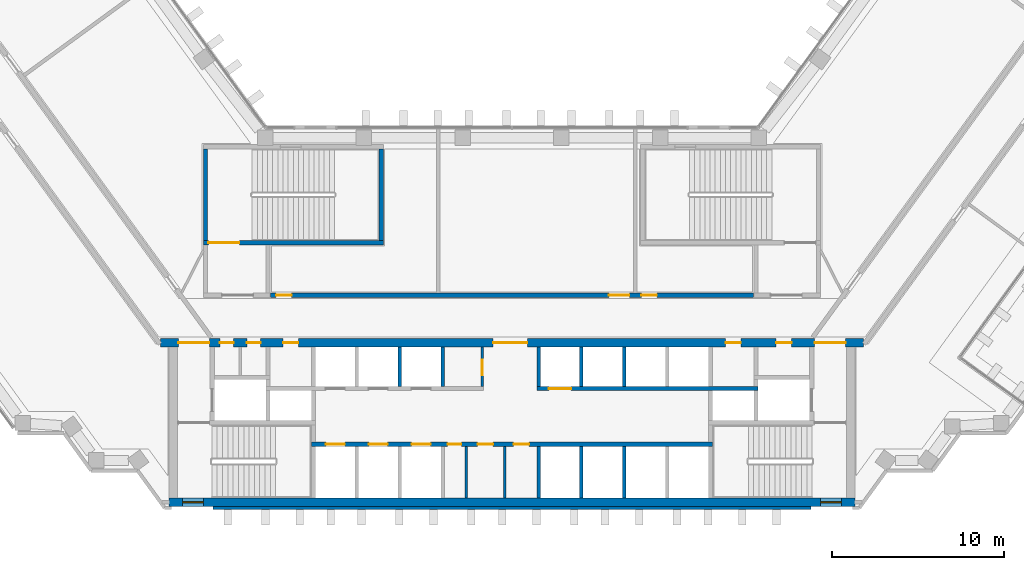
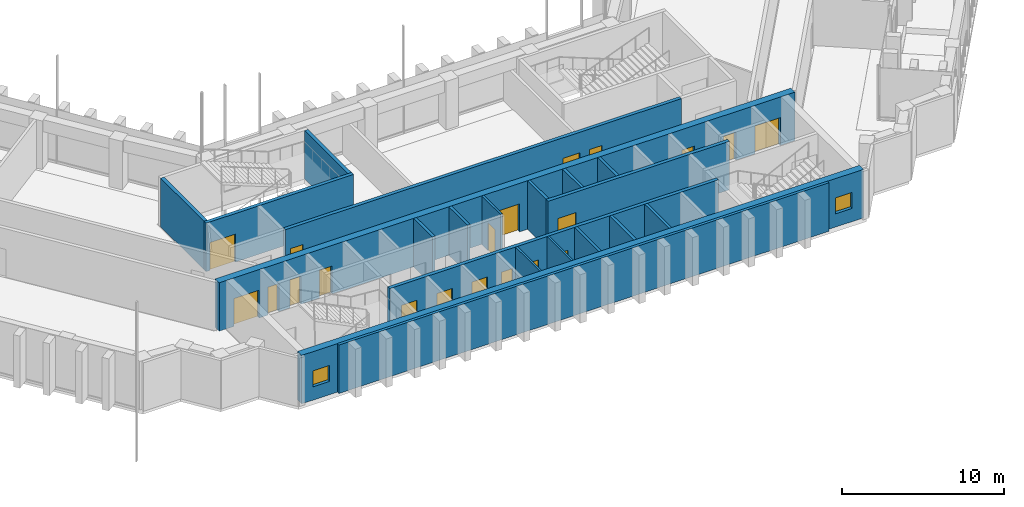
# One storey, part 10 of 17: 20 doors, 20 walls, 2 windows, 22 openings.
"""IFC4 building model written with IfcOpenShell, lengths in metres."""

from ifc_helpers import new_model, si_unit, direction, frame, frame_2d, origin, place, context, subcontext, project, spatial, rectangle, extrude, material, layer, layer_set, type_object, element, fill, save


model = new_model("IFC4")

# Units and contexts
model_context = context("Model", 3, precision=1e-05, world=origin(), true_north=direction((0.0, 1.0)))
body_context = subcontext(model_context, "Body", "Model", "MODEL_VIEW")
ifc_project = project(units=[si_unit("LENGTHUNIT", "METRE"), si_unit("AREAUNIT", "SQUARE_METRE"), si_unit("VOLUMEUNIT", "CUBIC_METRE"), si_unit("PLANEANGLEUNIT", "RADIAN"), si_unit("MASSUNIT", "GRAM", prefix="KILO")], contexts=[model_context])

# Site, building, storey
site_placement = place(None, origin())
site = spatial("IfcSite", under=ifc_project, at=site_placement, CompositionType="ELEMENT")
building_placement = place(site_placement, origin())
building = spatial("IfcBuilding", under=site, at=building_placement, Name="Quipu Civic Tower", CompositionType="ELEMENT")
storey_placement = place(building_placement, frame((0.0, 0.0, 101.0)))
storey = spatial("IfcBuildingStorey", under=building, at=storey_placement, Name="L23", CompositionType="ELEMENT", Elevation=101.0)

# Wall, openings, doors
ifc_material_1 = material(Name="Concrete C70/85", Category="concrete")
ifc_layer_1 = layer(ifc_material_1, 0.25)
ifc_layer_set_1 = layer_set([ifc_layer_1], Name="Concrete C70/85")
wall_type_1 = type_object("IfcWallType", Name="Core wall 250", PredefinedType="SHEAR", material=ifc_layer_set_1)
wall_1_placement = place(storey_placement, frame((11.699951171875, -7.375, 0.0), z_axis=(0.0, 0.0, 1.0), x_axis=(-1.0, 0.0, 0.0)))
wall_1 = element("IfcWall", 1, at=wall_1_placement, inside=storey, type_object=wall_type_1, Name="Core wall", PredefinedType="SHEAR", context=body_context, shape_type="SweptSolid", body=[
    extrude(rectangle(XDim=23.39990234375, YDim=0.25, at=frame_2d((11.699951171875, 0.0))), origin(), (0.0, 0.0, 1.0), 3.64990234375),
])
opening_1_placement = place(wall_1_placement, frame((21.449951171875, 0.0, 0.0)))
opening_1 = element("IfcOpeningElement", 2, at=opening_1_placement, cuts=wall_1, Name="Opening LD-LL1", PredefinedType="OPENING", context=body_context, shape_type="SweptSolid", body=[
    extrude(rectangle(XDim=1.10009765625, YDim=2.10009765625, at=frame_2d((0.550048828125, 1.050048828125))), frame((0.0, 0.135009765625, 0.0), z_axis=(0.0, -1.0, 0.0), x_axis=(1.0, 0.0, 0.0)), (0.0, 0.0, 1.0), 0.27001953125),
])
opening_2_placement = place(wall_1_placement, frame((18.949951171875, 0.0, 0.0)))
opening_2 = element("IfcOpeningElement", 3, at=opening_2_placement, cuts=wall_1, Name="Opening LD-LL2", PredefinedType="OPENING", context=body_context, shape_type="SweptSolid", body=[
    extrude(rectangle(XDim=1.10009765625, YDim=2.10009765625, at=frame_2d((0.550048828125, 1.050048828125))), frame((0.0, 0.135009765625, 0.0), z_axis=(0.0, -1.0, 0.0), x_axis=(1.0, 0.0, 0.0)), (0.0, 0.0, 1.0), 0.27001953125),
])
opening_3_placement = place(wall_1_placement, frame((16.449951171875, 0.0, 0.0)))
opening_3 = element("IfcOpeningElement", 4, at=opening_3_placement, cuts=wall_1, Name="Opening LD-LL3", PredefinedType="OPENING", context=body_context, shape_type="SweptSolid", body=[
    extrude(rectangle(XDim=1.10009765625, YDim=2.10009765625, at=frame_2d((0.550048828125, 1.050048828125))), frame((0.0, 0.135009765625, 0.0), z_axis=(0.0, -1.0, 0.0), x_axis=(1.0, 0.0, 0.0)), (0.0, 0.0, 1.0), 0.27001953125),
])
opening_4_placement = place(wall_1_placement, frame((14.64990234375, 0.0, 0.0)))
opening_4 = element("IfcOpeningElement", 5, at=opening_4_placement, cuts=wall_1, Name="Opening CD-01", PredefinedType="OPENING", context=body_context, shape_type="SweptSolid", body=[
    extrude(rectangle(XDim=0.800048828125, YDim=2.10009765625, at=frame_2d((0.39990234375, 1.050048828125))), frame((0.0, 0.135009765625, 0.0), z_axis=(0.0, -1.0, 0.0), x_axis=(1.0, 0.0, 0.0)), (0.0, 0.0, 1.0), 0.27001953125),
])
opening_5_placement = place(wall_1_placement, frame((12.800048828125, 0.0, 0.0)))
opening_5 = element("IfcOpeningElement", 6, at=opening_5_placement, cuts=wall_1, Name="Opening CD-02", PredefinedType="OPENING", context=body_context, shape_type="SweptSolid", body=[
    extrude(rectangle(XDim=0.89990234375, YDim=2.10009765625, at=frame_2d((0.449951171875, 1.050048828125))), frame((0.0, 0.135009765625, 0.0), z_axis=(0.0, -1.0, 0.0), x_axis=(1.0, 0.0, 0.0)), (0.0, 0.0, 1.0), 0.27001953125),
])
opening_6_placement = place(wall_1_placement, frame((10.699951171875, 0.0, 0.0)))
opening_6 = element("IfcOpeningElement", 7, at=opening_6_placement, cuts=wall_1, Name="Opening CD-03", PredefinedType="OPENING", context=body_context, shape_type="SweptSolid", body=[
    extrude(rectangle(XDim=0.89990234375, YDim=2.10009765625, at=frame_2d((0.449951171875, 1.050048828125))), frame((0.0, 0.135009765625, 0.0), z_axis=(0.0, -1.0, 0.0), x_axis=(1.0, 0.0, 0.0)), (0.0, 0.0, 1.0), 0.27001953125),
])
ifc_material_2 = material(Name="Fire rated steel door", Category="steel")
door_type_1 = type_object("IfcDoorType", Name="Fire door FD60 800 x 2100", OperationType="NOTDEFINED", PredefinedType="DOOR", material=ifc_material_2)
door_1_placement = place(opening_4_placement, origin())
door_1 = element("IfcDoor", 8, at=door_1_placement, inside=storey, type_object=door_type_1, Name="Door", OperationType="SINGLE_SWING_RIGHT", OverallHeight=2.10009765625, OverallWidth=0.800048828125, PredefinedType="DOOR", context=body_context, shape_type="SweptSolid", body=[
    extrude(rectangle(XDim=0.800048828125, YDim=2.10009765625, at=frame_2d((0.39990234375, 1.050048828125))), frame((0.0, 0.02490234375, 0.0), z_axis=(0.0, -1.0, 0.0), x_axis=(1.0, 0.0, 0.0)), (0.0, 0.0, 1.0), 0.050048828125),
])
fill(opening_4, door_1)
ifc_material_3 = material(Name="Fire rated steel door", Category="steel")
door_type_2 = type_object("IfcDoorType", Name="Fire door FD60 900 x 2100", OperationType="NOTDEFINED", PredefinedType="DOOR", material=ifc_material_3)
door_2_placement = place(opening_5_placement, origin())
door_2 = element("IfcDoor", 9, at=door_2_placement, inside=storey, type_object=door_type_2, Name="WC door", OperationType="SINGLE_SWING_RIGHT", OverallHeight=2.10009765625, OverallWidth=0.89990234375, PredefinedType="DOOR", context=body_context, shape_type="SweptSolid", body=[
    extrude(rectangle(XDim=0.89990234375, YDim=2.10009765625, at=frame_2d((0.449951171875, 1.050048828125))), frame((0.0, 0.02490234375, 0.0), z_axis=(0.0, -1.0, 0.0), x_axis=(1.0, 0.0, 0.0)), (0.0, 0.0, 1.0), 0.050048828125),
])
fill(opening_5, door_2)
door_3_placement = place(opening_6_placement, origin())
door_3 = element("IfcDoor", 10, at=door_3_placement, inside=storey, type_object=door_type_2, Name="WC door", OperationType="SINGLE_SWING_LEFT", OverallHeight=2.10009765625, OverallWidth=0.89990234375, PredefinedType="DOOR", context=body_context, shape_type="SweptSolid", body=[
    extrude(rectangle(XDim=0.89990234375, YDim=2.10009765625, at=frame_2d((0.449951171875, 1.050048828125))), frame((0.0, 0.02490234375, 0.0), z_axis=(0.0, -1.0, 0.0), x_axis=(1.0, 0.0, 0.0)), (0.0, 0.0, 1.0), 0.050048828125),
])
fill(opening_6, door_3)
ifc_material_4 = material(Name="Stainless steel", Category="steel")
door_type_3 = type_object("IfcDoorType", Name="Lift landing door 1100 x 2100", OperationType="DOUBLE_DOOR_SLIDING", PredefinedType="DOOR", material=ifc_material_4)
door_4_placement = place(opening_1_placement, origin())
door_4 = element("IfcDoor", 11, at=door_4_placement, inside=storey, type_object=door_type_3, Name="Landing door LL1", OperationType="DOUBLE_DOOR_SLIDING", OverallHeight=2.10009765625, OverallWidth=1.10009765625, PredefinedType="DOOR", context=body_context, shape_type="SweptSolid", body=[
    extrude(rectangle(XDim=1.10009765625, YDim=2.10009765625, at=frame_2d((0.550048828125, 1.050048828125))), frame((0.0, 0.02490234375, 0.0), z_axis=(0.0, -1.0, 0.0), x_axis=(1.0, 0.0, 0.0)), (0.0, 0.0, 1.0), 0.050048828125),
])
fill(opening_1, door_4)
door_5_placement = place(opening_2_placement, origin())
door_5 = element("IfcDoor", 12, at=door_5_placement, inside=storey, type_object=door_type_3, Name="Landing door LL2", OperationType="DOUBLE_DOOR_SLIDING", OverallHeight=2.10009765625, OverallWidth=1.10009765625, PredefinedType="DOOR", context=body_context, shape_type="SweptSolid", body=[
    extrude(rectangle(XDim=1.10009765625, YDim=2.10009765625, at=frame_2d((0.550048828125, 1.050048828125))), frame((0.0, 0.02490234375, 0.0), z_axis=(0.0, -1.0, 0.0), x_axis=(1.0, 0.0, 0.0)), (0.0, 0.0, 1.0), 0.050048828125),
])
fill(opening_2, door_5)
door_6_placement = place(opening_3_placement, origin())
door_6 = element("IfcDoor", 13, at=door_6_placement, inside=storey, type_object=door_type_3, Name="Landing door LL3", OperationType="DOUBLE_DOOR_SLIDING", OverallHeight=2.10009765625, OverallWidth=1.10009765625, PredefinedType="DOOR", context=body_context, shape_type="SweptSolid", body=[
    extrude(rectangle(XDim=1.10009765625, YDim=2.10009765625, at=frame_2d((0.550048828125, 1.050048828125))), frame((0.0, 0.02490234375, 0.0), z_axis=(0.0, -1.0, 0.0), x_axis=(1.0, 0.0, 0.0)), (0.0, 0.0, 1.0), 0.050048828125),
])
fill(opening_3, door_6)

# Wall, opening, door
wall_2_placement = place(storey_placement, frame((1.449951171875, -4.125, 0.0), z_axis=(0.0, 0.0, 1.0), x_axis=(1.0, 0.0, 0.0)))
wall_2 = element("IfcWall", 14, at=wall_2_placement, inside=storey, type_object=wall_type_1, Name="Core wall", PredefinedType="SHEAR", context=body_context, shape_type="SweptSolid", body=[
    extrude(rectangle(XDim=12.900146484375, YDim=0.25, at=frame_2d((6.4501953125, 0.0))), origin(), (0.0, 0.0, 1.0), 3.64990234375),
])
opening_7_placement = place(wall_2_placement, frame((0.699951171875, 0.0, 0.0)))
opening_7 = element("IfcOpeningElement", 15, at=opening_7_placement, cuts=wall_2, Name="Opening LD-FF3", PredefinedType="OPENING", context=body_context, shape_type="SweptSolid", body=[
    extrude(rectangle(XDim=1.300048828125, YDim=2.10009765625, at=frame_2d((0.64990234375, 1.050048828125))), frame((0.0, 0.135009765625, 0.0), z_axis=(0.0, -1.0, 0.0), x_axis=(1.0, 0.0, 0.0)), (0.0, 0.0, 1.0), 0.27001953125),
])
ifc_material_5 = material(Name="Stainless steel", Category="steel")
door_type_4 = type_object("IfcDoorType", Name="Lift landing door 1300 x 2100", OperationType="DOUBLE_DOOR_SLIDING", PredefinedType="DOOR", material=ifc_material_5)
door_7_placement = place(opening_7_placement, origin())
door_7 = element("IfcDoor", 16, at=door_7_placement, inside=storey, type_object=door_type_4, Name="Landing door FF3", OperationType="DOUBLE_DOOR_SLIDING", OverallHeight=2.10009765625, OverallWidth=1.300048828125, PredefinedType="DOOR", context=body_context, shape_type="SweptSolid", body=[
    extrude(rectangle(XDim=1.300048828125, YDim=2.10009765625, at=frame_2d((0.64990234375, 1.050048828125))), frame((0.0, 0.02490234375, 0.0), z_axis=(0.0, -1.0, 0.0), x_axis=(1.0, 0.0, 0.0)), (0.0, 0.0, 1.0), 0.050048828125),
])
fill(opening_7, door_7)

wall_3_placement = place(storey_placement, frame((-18.0, 4.375, 0.0), z_axis=(0.0, 0.0, 1.0), x_axis=(1.0, 0.0, 0.0)))
wall_3 = element("IfcWall", 17, at=wall_3_placement, inside=storey, type_object=wall_type_1, Name="Core wall", PredefinedType="SHEAR", context=body_context, shape_type="SweptSolid", body=[
    extrude(rectangle(XDim=10.5, YDim=0.25, at=frame_2d((5.25, 0.0))), origin(), (0.0, 0.0, 1.0), 3.64990234375),
])
opening_8_placement = place(wall_3_placement, frame((0.300048828125, 0.0, 0.0)))
opening_8 = element("IfcOpeningElement", 18, at=opening_8_placement, cuts=wall_3, Name="Opening CD-16", PredefinedType="OPENING", context=body_context, shape_type="SweptSolid", body=[
    extrude(rectangle(XDim=1.800048828125, YDim=2.10009765625, at=frame_2d((0.89990234375, 1.050048828125))), frame((0.0, 0.135009765625, 0.0), z_axis=(0.0, -1.0, 0.0), x_axis=(1.0, 0.0, 0.0)), (0.0, 0.0, 1.0), 0.27001953125),
])
ifc_material_6 = material(Name="Fire rated steel door", Category="steel")
door_type_5 = type_object("IfcDoorType", Name="Fire door FD90 double 1800 x 2100", OperationType="NOTDEFINED", PredefinedType="DOOR", material=ifc_material_6)
door_8_placement = place(opening_8_placement, origin())
door_8 = element("IfcDoor", 19, at=door_8_placement, inside=storey, type_object=door_type_5, Name="Door", OperationType="DOUBLE_DOOR_SINGLE_SWING", OverallHeight=2.10009765625, OverallWidth=1.800048828125, PredefinedType="DOOR", context=body_context, shape_type="SweptSolid", body=[
    extrude(rectangle(XDim=1.800048828125, YDim=2.10009765625, at=frame_2d((0.89990234375, 1.050048828125))), frame((0.0, 0.02490234375, 0.0), z_axis=(0.0, -1.0, 0.0), x_axis=(1.0, 0.0, 0.0)), (0.0, 0.0, 1.0), 0.050048828125),
])
fill(opening_8, door_8)

# Walls
for number, where, z_axis, x_axis, name in (
    (20, (-17.875, 4.5, 0.0), (0.0, 0.0, 1.0), (0.0, 1.0, 0.0), "Core wall"),
    (21, (-7.625, 4.5, 0.0), (0.0, 0.0, 1.0), (0.0, 1.0, 0.0), "Core wall"),
):
    element("IfcWall", number, at=place(storey_placement, frame(where, z_axis=z_axis, x_axis=x_axis)), inside=storey, type_object=wall_type_1, Name=name, PredefinedType="SHEAR", context=body_context, shape_type="SweptSolid", body=[
        extrude(rectangle(XDim=5.35009765625, YDim=0.25, at=frame_2d((2.675048828125, 0.0))), origin(), (0.0, 0.0, 1.0), 3.64990234375),
    ])

# Wall, openings, windows
ifc_material_7 = material(Name="Concrete C70/85", Category="concrete")
ifc_layer_2 = layer(ifc_material_7, 0.5)
ifc_layer_set_2 = layer_set([ifc_layer_2], Name="Concrete C70/85")
wall_type_2 = type_object("IfcWallType", Name="Core wall 500", PredefinedType="SHEAR", material=ifc_layer_set_2)
wall_4_placement = place(storey_placement, frame((-20.0, -10.75, 0.0), z_axis=(0.0, 0.0, 1.0), x_axis=(1.0, 0.0, 0.0)))
wall_4 = element("IfcWall", 22, at=wall_4_placement, inside=storey, type_object=wall_type_2, Name="Core wall", PredefinedType="SHEAR", context=body_context, shape_type="SweptSolid", body=[
    extrude(rectangle(XDim=40.0, YDim=0.5, at=frame_2d((20.0, 0.0))), origin(), (0.0, 0.0, 1.0), 3.64990234375),
])
opening_9_placement = place(wall_4_placement, frame((0.800048828125, 0.0, 1.0)))
opening_9 = element("IfcOpeningElement", 23, at=opening_9_placement, cuts=wall_4, Name="Opening SV-1", PredefinedType="OPENING", context=body_context, shape_type="SweptSolid", body=[
    extrude(rectangle(XDim=1.199951171875, YDim=1.199951171875, at=frame_2d((0.60009765625, 0.60009765625))), frame((0.0, 0.260009765625, 0.0), z_axis=(0.0, -1.0, 0.0), x_axis=(1.0, 0.0, 0.0)), (0.0, 0.0, 1.0), 0.52001953125),
])
opening_10_placement = place(wall_4_placement, frame((38.0, 0.0, 1.0)))
opening_10 = element("IfcOpeningElement", 24, at=opening_10_placement, cuts=wall_4, Name="Opening SV-2", PredefinedType="OPENING", context=body_context, shape_type="SweptSolid", body=[
    extrude(rectangle(XDim=1.199951171875, YDim=1.199951171875, at=frame_2d((0.60009765625, 0.60009765625))), frame((0.0, 0.260009765625, 0.0), z_axis=(0.0, -1.0, 0.0), x_axis=(1.0, 0.0, 0.0)), (0.0, 0.0, 1.0), 0.52001953125),
])
ifc_material_8 = material(Name="Aluminium louvre", Category="aluminium")
window_type = type_object("IfcWindowType", Name="Stair ventilation louvre 1200 x 1200", PartitioningType="SINGLE_PANEL", PredefinedType="WINDOW", material=ifc_material_8)
window_1_placement = place(opening_9_placement, origin())
window_1 = element("IfcWindow", 25, at=window_1_placement, inside=storey, type_object=window_type, Name="Stair ventilation opening", OverallHeight=1.199951171875, OverallWidth=1.199951171875, PartitioningType="SINGLE_PANEL", PredefinedType="WINDOW", context=body_context, shape_type="SweptSolid", body=[
    extrude(rectangle(XDim=1.199951171875, YDim=1.199951171875, at=frame_2d((0.60009765625, 0.60009765625))), frame((0.0, 0.030029296875, 0.0), z_axis=(0.0, -1.0, 0.0), x_axis=(1.0, 0.0, 0.0)), (0.0, 0.0, 1.0), 0.06005859375),
])
fill(opening_9, window_1)
window_2_placement = place(opening_10_placement, origin())
window_2 = element("IfcWindow", 26, at=window_2_placement, inside=storey, type_object=window_type, Name="Stair ventilation opening", OverallHeight=1.199951171875, OverallWidth=1.199951171875, PartitioningType="SINGLE_PANEL", PredefinedType="WINDOW", context=body_context, shape_type="SweptSolid", body=[
    extrude(rectangle(XDim=1.199951171875, YDim=1.199951171875, at=frame_2d((0.60009765625, 0.60009765625))), frame((0.0, 0.030029296875, 0.0), z_axis=(0.0, -1.0, 0.0), x_axis=(1.0, 0.0, 0.0)), (0.0, 0.0, 1.0), 0.06005859375),
])
fill(opening_10, window_2)

# Wall, openings, doors
wall_5_placement = place(storey_placement, frame((20.489990234375, -1.449951171875, 0.0), z_axis=(0.0, 0.0, 1.0), x_axis=(-1.0, 0.0, 0.0)))
wall_5 = element("IfcWall", 27, at=wall_5_placement, inside=storey, type_object=wall_type_2, Name="Core wall", PredefinedType="SHEAR", context=body_context, shape_type="SweptSolid", body=[
    extrude(rectangle(XDim=40.97998046875, YDim=0.5, at=frame_2d((20.489990234375, 0.0))), origin(), (0.0, 0.0, 1.0), 3.64990234375),
])
opening_11_placement = place(wall_5_placement, frame((38.139892578125, 0.0, 0.0)))
opening_11 = element("IfcOpeningElement", 28, at=opening_11_placement, cuts=wall_5, Name="Opening CD-07", PredefinedType="OPENING", context=body_context, shape_type="SweptSolid", body=[
    extrude(rectangle(XDim=1.800048828125, YDim=2.10009765625, at=frame_2d((0.89990234375, 1.050048828125))), frame((0.0, 0.260009765625, 0.0), z_axis=(0.0, -1.0, 0.0), x_axis=(1.0, 0.0, 0.0)), (0.0, 0.0, 1.0), 0.52001953125),
])
opening_12_placement = place(wall_5_placement, frame((36.7275390625, 0.0, 0.0)))
opening_12 = element("IfcOpeningElement", 29, at=opening_12_placement, cuts=wall_5, Name="Opening CD-08", PredefinedType="OPENING", context=body_context, shape_type="SweptSolid", body=[
    extrude(rectangle(XDim=0.800048828125, YDim=2.10009765625, at=frame_2d((0.39990234375, 1.050048828125))), frame((0.0, 0.260009765625, 0.0), z_axis=(0.0, -1.0, 0.0), x_axis=(1.0, 0.0, 0.0)), (0.0, 0.0, 1.0), 0.52001953125),
])
opening_13_placement = place(wall_5_placement, frame((35.152587890625, 0.0, 0.0)))
opening_13 = element("IfcOpeningElement", 30, at=opening_13_placement, cuts=wall_5, Name="Opening CD-09", PredefinedType="OPENING", context=body_context, shape_type="SweptSolid", body=[
    extrude(rectangle(XDim=0.800048828125, YDim=2.10009765625, at=frame_2d((0.39990234375, 1.050048828125))), frame((0.0, 0.260009765625, 0.0), z_axis=(0.0, -1.0, 0.0), x_axis=(1.0, 0.0, 0.0)), (0.0, 0.0, 1.0), 0.52001953125),
])
opening_14_placement = place(wall_5_placement, frame((32.93994140625, 0.0, 0.0)))
opening_14 = element("IfcOpeningElement", 31, at=opening_14_placement, cuts=wall_5, Name="Opening CD-10", PredefinedType="OPENING", context=body_context, shape_type="SweptSolid", body=[
    extrude(rectangle(XDim=0.89990234375, YDim=2.10009765625, at=frame_2d((0.449951171875, 1.050048828125))), frame((0.0, 0.260009765625, 0.0), z_axis=(0.0, -1.0, 0.0), x_axis=(1.0, 0.0, 0.0)), (0.0, 0.0, 1.0), 0.52001953125),
])
opening_15_placement = place(wall_5_placement, frame((19.590087890625, 0.0, 0.0)))
opening_15 = element("IfcOpeningElement", 32, at=opening_15_placement, cuts=wall_5, Name="Opening CD-11", PredefinedType="OPENING", context=body_context, shape_type="SweptSolid", body=[
    extrude(rectangle(XDim=2.0, YDim=2.10009765625, at=frame_2d((1.0, 1.050048828125))), frame((0.0, 0.260009765625, 0.0), z_axis=(0.0, -1.0, 0.0), x_axis=(1.0, 0.0, 0.0)), (0.0, 0.0, 1.0), 0.52001953125),
])
opening_16_placement = place(wall_5_placement, frame((7.139892578125, 0.0, 0.0)))
opening_16 = element("IfcOpeningElement", 33, at=opening_16_placement, cuts=wall_5, Name="Opening CD-12", PredefinedType="OPENING", context=body_context, shape_type="SweptSolid", body=[
    extrude(rectangle(XDim=0.89990234375, YDim=2.10009765625, at=frame_2d((0.449951171875, 1.050048828125))), frame((0.0, 0.260009765625, 0.0), z_axis=(0.0, -1.0, 0.0), x_axis=(1.0, 0.0, 0.0)), (0.0, 0.0, 1.0), 0.52001953125),
])
opening_17_placement = place(wall_5_placement, frame((4.18994140625, 0.0, 0.0)))
opening_17 = element("IfcOpeningElement", 34, at=opening_17_placement, cuts=wall_5, Name="Opening CD-13", PredefinedType="OPENING", context=body_context, shape_type="SweptSolid", body=[
    extrude(rectangle(XDim=0.89990234375, YDim=2.10009765625, at=frame_2d((0.449951171875, 1.050048828125))), frame((0.0, 0.260009765625, 0.0), z_axis=(0.0, -1.0, 0.0), x_axis=(1.0, 0.0, 0.0)), (0.0, 0.0, 1.0), 0.52001953125),
])
opening_18_placement = place(wall_5_placement, frame((1.0400390625, 0.0, 0.0)))
opening_18 = element("IfcOpeningElement", 35, at=opening_18_placement, cuts=wall_5, Name="Opening CD-14", PredefinedType="OPENING", context=body_context, shape_type="SweptSolid", body=[
    extrude(rectangle(XDim=1.800048828125, YDim=2.10009765625, at=frame_2d((0.89990234375, 1.050048828125))), frame((0.0, 0.260009765625, 0.0), z_axis=(0.0, -1.0, 0.0), x_axis=(1.0, 0.0, 0.0)), (0.0, 0.0, 1.0), 0.52001953125),
])
door_9_placement = place(opening_12_placement, origin())
door_9 = element("IfcDoor", 36, at=door_9_placement, inside=storey, type_object=door_type_1, Name="Door", OperationType="SINGLE_SWING_RIGHT", OverallHeight=2.10009765625, OverallWidth=0.800048828125, PredefinedType="DOOR", context=body_context, shape_type="SweptSolid", body=[
    extrude(rectangle(XDim=0.800048828125, YDim=2.10009765625, at=frame_2d((0.39990234375, 1.050048828125))), frame((0.0, 0.02490234375, 0.0), z_axis=(0.0, -1.0, 0.0), x_axis=(1.0, 0.0, 0.0)), (0.0, 0.0, 1.0), 0.050048828125),
])
fill(opening_12, door_9)
door_10_placement = place(opening_13_placement, origin())
door_10 = element("IfcDoor", 37, at=door_10_placement, inside=storey, type_object=door_type_1, Name="Door", OperationType="SINGLE_SWING_RIGHT", OverallHeight=2.10009765625, OverallWidth=0.800048828125, PredefinedType="DOOR", context=body_context, shape_type="SweptSolid", body=[
    extrude(rectangle(XDim=0.800048828125, YDim=2.10009765625, at=frame_2d((0.39990234375, 1.050048828125))), frame((0.0, 0.02490234375, 0.0), z_axis=(0.0, -1.0, 0.0), x_axis=(1.0, 0.0, 0.0)), (0.0, 0.0, 1.0), 0.050048828125),
])
fill(opening_13, door_10)
door_11_placement = place(opening_14_placement, origin())
door_11 = element("IfcDoor", 38, at=door_11_placement, inside=storey, type_object=door_type_2, Name="Riser door", OperationType="SINGLE_SWING_RIGHT", OverallHeight=2.10009765625, OverallWidth=0.89990234375, PredefinedType="DOOR", context=body_context, shape_type="SweptSolid", body=[
    extrude(rectangle(XDim=0.89990234375, YDim=2.10009765625, at=frame_2d((0.449951171875, 1.050048828125))), frame((0.0, 0.02490234375, 0.0), z_axis=(0.0, -1.0, 0.0), x_axis=(1.0, 0.0, 0.0)), (0.0, 0.0, 1.0), 0.050048828125),
])
fill(opening_14, door_11)
door_12_placement = place(opening_16_placement, origin())
door_12 = element("IfcDoor", 39, at=door_12_placement, inside=storey, type_object=door_type_2, Name="Riser door", OperationType="SINGLE_SWING_LEFT", OverallHeight=2.10009765625, OverallWidth=0.89990234375, PredefinedType="DOOR", context=body_context, shape_type="SweptSolid", body=[
    extrude(rectangle(XDim=0.89990234375, YDim=2.10009765625, at=frame_2d((0.449951171875, 1.050048828125))), frame((0.0, 0.02490234375, 0.0), z_axis=(0.0, -1.0, 0.0), x_axis=(1.0, 0.0, 0.0)), (0.0, 0.0, 1.0), 0.050048828125),
])
fill(opening_16, door_12)
door_13_placement = place(opening_17_placement, origin())
door_13 = element("IfcDoor", 40, at=door_13_placement, inside=storey, type_object=door_type_2, Name="Door", OperationType="SINGLE_SWING_LEFT", OverallHeight=2.10009765625, OverallWidth=0.89990234375, PredefinedType="DOOR", context=body_context, shape_type="SweptSolid", body=[
    extrude(rectangle(XDim=0.89990234375, YDim=2.10009765625, at=frame_2d((0.449951171875, 1.050048828125))), frame((0.0, 0.02490234375, 0.0), z_axis=(0.0, -1.0, 0.0), x_axis=(1.0, 0.0, 0.0)), (0.0, 0.0, 1.0), 0.050048828125),
])
fill(opening_17, door_13)
door_14_placement = place(opening_11_placement, origin())
door_14 = element("IfcDoor", 41, at=door_14_placement, inside=storey, type_object=door_type_5, Name="Lobby door", OperationType="DOUBLE_DOOR_SINGLE_SWING", OverallHeight=2.10009765625, OverallWidth=1.800048828125, PredefinedType="DOOR", context=body_context, shape_type="SweptSolid", body=[
    extrude(rectangle(XDim=1.800048828125, YDim=2.10009765625, at=frame_2d((0.89990234375, 1.050048828125))), frame((0.0, 0.02490234375, 0.0), z_axis=(0.0, -1.0, 0.0), x_axis=(1.0, 0.0, 0.0)), (0.0, 0.0, 1.0), 0.050048828125),
])
fill(opening_11, door_14)
door_15_placement = place(opening_18_placement, origin())
door_15 = element("IfcDoor", 42, at=door_15_placement, inside=storey, type_object=door_type_5, Name="Lobby door", OperationType="DOUBLE_DOOR_SINGLE_SWING", OverallHeight=2.10009765625, OverallWidth=1.800048828125, PredefinedType="DOOR", context=body_context, shape_type="SweptSolid", body=[
    extrude(rectangle(XDim=1.800048828125, YDim=2.10009765625, at=frame_2d((0.89990234375, 1.050048828125))), frame((0.0, 0.02490234375, 0.0), z_axis=(0.0, -1.0, 0.0), x_axis=(1.0, 0.0, 0.0)), (0.0, 0.0, 1.0), 0.050048828125),
])
fill(opening_18, door_15)
ifc_material_9 = material(Name="Fire rated steel door", Category="steel")
door_type_6 = type_object("IfcDoorType", Name="Fire door FD90 double 2000 x 2100", OperationType="NOTDEFINED", PredefinedType="DOOR", material=ifc_material_9)
door_16_placement = place(opening_15_placement, origin())
door_16 = element("IfcDoor", 43, at=door_16_placement, inside=storey, type_object=door_type_6, Name="Lobby door", OperationType="DOUBLE_DOOR_SINGLE_SWING", OverallHeight=2.10009765625, OverallWidth=2.0, PredefinedType="DOOR", context=body_context, shape_type="SweptSolid", body=[
    extrude(rectangle(XDim=2.0, YDim=2.10009765625, at=frame_2d((1.0, 1.050048828125))), frame((0.0, 0.02490234375, 0.0), z_axis=(0.0, -1.0, 0.0), x_axis=(1.0, 0.0, 0.0)), (0.0, 0.0, 1.0), 0.050048828125),
])
fill(opening_15, door_16)

ifc_material_10 = material(Name="Concrete C50/60", Category="concrete")
ifc_layer_3 = layer(ifc_material_10, 0.25)
ifc_layer_set_3 = layer_set([ifc_layer_3], Name="Concrete C50/60")
wall_type_3 = type_object("IfcWallType", Name="Corridor wall 250 concrete", PredefinedType="SOLIDWALL", material=ifc_layer_set_3)
wall_6_placement = place(storey_placement, frame((-14.090087890625, 1.324951171875, 0.0), z_axis=(0.0, 0.0, 1.0), x_axis=(1.0, 0.0, 0.0)))
wall_6 = element("IfcWall", 44, at=wall_6_placement, inside=storey, type_object=wall_type_3, Name="Corridor wall C05", PredefinedType="SOLIDWALL", context=body_context, shape_type="SweptSolid", body=[
    extrude(rectangle(XDim=28.18017578125, YDim=0.25, at=frame_2d((14.090087890625, 0.0))), origin(), (0.0, 0.0, 1.0), 3.64990234375),
])
opening_19_placement = place(wall_6_placement, frame((19.738037109375, 0.0, 0.0)))
opening_19 = element("IfcOpeningElement", 45, at=opening_19_placement, cuts=wall_6, Name="Opening D007", PredefinedType="OPENING", context=body_context, shape_type="SweptSolid", body=[
    extrude(rectangle(XDim=1.199951171875, YDim=2.10009765625, at=frame_2d((0.60009765625, 1.050048828125))), frame((0.0, 0.135009765625, 0.0), z_axis=(0.0, -1.0, 0.0), x_axis=(1.0, 0.0, 0.0)), (0.0, 0.0, 1.0), 0.27001953125),
])
opening_20_placement = place(wall_6_placement, frame((0.340087890625, 0.0, 0.0)))
opening_20 = element("IfcOpeningElement", 46, at=opening_20_placement, cuts=wall_6, Name="Opening D006", PredefinedType="OPENING", context=body_context, shape_type="SweptSolid", body=[
    extrude(rectangle(XDim=0.89990234375, YDim=2.10009765625, at=frame_2d((0.449951171875, 1.050048828125))), frame((0.0, 0.135009765625, 0.0), z_axis=(0.0, -1.0, 0.0), x_axis=(1.0, 0.0, 0.0)), (0.0, 0.0, 1.0), 0.27001953125),
])
opening_21_placement = place(wall_6_placement, frame((21.637939453125, 0.0, 0.0)))
opening_21 = element("IfcOpeningElement", 47, at=opening_21_placement, cuts=wall_6, Name="Opening D008", PredefinedType="OPENING", context=body_context, shape_type="SweptSolid", body=[
    extrude(rectangle(XDim=0.89990234375, YDim=2.10009765625, at=frame_2d((0.449951171875, 1.050048828125))), frame((0.0, 0.135009765625, 0.0), z_axis=(0.0, -1.0, 0.0), x_axis=(1.0, 0.0, 0.0)), (0.0, 0.0, 1.0), 0.27001953125),
])
ifc_material_11 = material(Name="Fire rated timber door set with metal frame", Category="wood")
door_type_7 = type_object("IfcDoorType", Name="Single door 1200 x 2100 FD60", OperationType="NOTDEFINED", PredefinedType="DOOR", material=ifc_material_11)
door_17_placement = place(opening_19_placement, origin())
door_17 = element("IfcDoor", 48, at=door_17_placement, inside=storey, type_object=door_type_7, Name="Door D007", OperationType="SINGLE_SWING_RIGHT", OverallHeight=2.10009765625, OverallWidth=1.199951171875, PredefinedType="DOOR", context=body_context, shape_type="SweptSolid", body=[
    extrude(rectangle(XDim=1.199951171875, YDim=2.10009765625, at=frame_2d((0.60009765625, 1.050048828125))), frame((0.0, 0.02490234375, 0.0), z_axis=(0.0, -1.0, 0.0), x_axis=(1.0, 0.0, 0.0)), (0.0, 0.0, 1.0), 0.050048828125),
])
fill(opening_19, door_17)
ifc_material_12 = material(Name="Fire rated timber door set with metal frame", Category="wood")
door_type_8 = type_object("IfcDoorType", Name="Single door 900 x 2100 FD60", OperationType="NOTDEFINED", PredefinedType="DOOR", material=ifc_material_12)
door_18_placement = place(opening_20_placement, origin())
door_18 = element("IfcDoor", 49, at=door_18_placement, inside=storey, type_object=door_type_8, Name="Door D006", OperationType="SINGLE_SWING_LEFT", OverallHeight=2.10009765625, OverallWidth=0.89990234375, PredefinedType="DOOR", context=body_context, shape_type="SweptSolid", body=[
    extrude(rectangle(XDim=0.89990234375, YDim=2.10009765625, at=frame_2d((0.449951171875, 1.050048828125))), frame((0.0, 0.02490234375, 0.0), z_axis=(0.0, -1.0, 0.0), x_axis=(1.0, 0.0, 0.0)), (0.0, 0.0, 1.0), 0.050048828125),
])
fill(opening_20, door_18)
door_19_placement = place(opening_21_placement, origin())
door_19 = element("IfcDoor", 50, at=door_19_placement, inside=storey, type_object=door_type_8, Name="Door D008", OperationType="SINGLE_SWING_LEFT", OverallHeight=2.10009765625, OverallWidth=0.89990234375, PredefinedType="DOOR", context=body_context, shape_type="SweptSolid", body=[
    extrude(rectangle(XDim=0.89990234375, YDim=2.10009765625, at=frame_2d((0.449951171875, 1.050048828125))), frame((0.0, 0.02490234375, 0.0), z_axis=(0.0, -1.0, 0.0), x_axis=(1.0, 0.0, 0.0)), (0.0, 0.0, 1.0), 0.050048828125),
])
fill(opening_21, door_19)

# Walls
ifc_material_13 = material(Name="Gypsum board partition")
ifc_layer_4 = layer(ifc_material_13, 0.14990234375)
ifc_layer_set_4 = layer_set([ifc_layer_4], Name="Gypsum board partition")
wall_type_4 = type_object("IfcWallType", Name="Partition 150", PredefinedType="PARTITIONING", material=ifc_layer_set_4)
for number, where, z_axis, x_axis, name in (
    (51, (-2.675048828125, -10.5, 0.0), (0.0, 0.0, 1.0), (0.0, 1.0, 0.0), "Partition"),
    (52, (-0.425048828125, -10.5, 0.0), (0.0, 0.0, 1.0), (0.0, 1.0, 0.0), "Partition"),
):
    element("IfcWall", number, at=place(storey_placement, frame(where, z_axis=z_axis, x_axis=x_axis)), inside=storey, type_object=wall_type_4, Name=name, PredefinedType="PARTITIONING", context=body_context, shape_type="SweptSolid", body=[
        extrude(rectangle(XDim=3.0, YDim=0.14990234375, at=frame_2d((1.5, 0.0))), origin(), (0.0, 0.0, 1.0), 3.64990234375),
    ])

# Wall, opening, door
wall_7_placement = place(storey_placement, frame((-1.72509765625, -1.699951171875, 0.0), z_axis=(0.0, 0.0, 1.0), x_axis=(0.0, -1.0, 0.0)))
wall_7 = element("IfcWall", 53, at=wall_7_placement, inside=storey, type_object=wall_type_4, Name="Partition", PredefinedType="PARTITIONING", context=body_context, shape_type="SweptSolid", body=[
    extrude(rectangle(XDim=2.300048828125, YDim=0.14990234375, at=frame_2d((1.14990234375, 0.0))), origin(), (0.0, 0.0, 1.0), 3.64990234375),
])
opening_22_placement = place(wall_7_placement, frame((0.75, 0.0, 0.0)))
opening_22 = element("IfcOpeningElement", 54, at=opening_22_placement, cuts=wall_7, Name="Opening CD-06", PredefinedType="OPENING", context=body_context, shape_type="SweptSolid", body=[
    extrude(rectangle(XDim=0.89990234375, YDim=2.10009765625, at=frame_2d((0.449951171875, 1.050048828125))), frame((0.0, 0.0849609375, 0.0), z_axis=(0.0, -1.0, 0.0), x_axis=(1.0, 0.0, 0.0)), (0.0, 0.0, 1.0), 0.169921875),
])
door_20_placement = place(opening_22_placement, origin())
door_20 = element("IfcDoor", 55, at=door_20_placement, inside=storey, type_object=door_type_2, Name="WC door", OperationType="SINGLE_SWING_RIGHT", OverallHeight=2.10009765625, OverallWidth=0.89990234375, PredefinedType="DOOR", context=body_context, shape_type="SweptSolid", body=[
    extrude(rectangle(XDim=0.89990234375, YDim=2.10009765625, at=frame_2d((0.449951171875, 1.050048828125))), frame((0.0, 0.02490234375, 0.0), z_axis=(0.0, -1.0, 0.0), x_axis=(1.0, 0.0, 0.0)), (0.0, 0.0, 1.0), 0.050048828125),
])
fill(opening_22, door_20)

# Walls
ifc_material_14 = material(Name="Precast concrete C40/50", Category="concrete")
wall_type_5 = type_object("IfcWallType", Name="Precast cladding wall", PredefinedType="SOLIDWALL", material=ifc_material_14)
wall_8_placement = place(storey_placement, frame((-17.44384765625, -11.087890625, 0.0), z_axis=(0.0, 0.0, 1.0), x_axis=(1.0, 0.0, 0.0)))
element("IfcWall", 56, at=wall_8_placement, inside=storey, type_object=wall_type_5, Name="Precast cladding wall L23 P22", PredefinedType="SOLIDWALL", context=body_context, shape_type="SweptSolid", body=[
    extrude(rectangle(XDim=34.8876953125, YDim=0.199951171875, at=frame_2d((17.44384765625, 0.0))), origin(), (0.0, 0.0, 1.0), 3.64990234375),
])
ifc_material_15 = material(Name="Concrete C40/50", Category="concrete")
ifc_layer_5 = layer(ifc_material_15, 0.199951171875)
ifc_layer_set_5 = layer_set([ifc_layer_5], Name="Concrete C40/50")
wall_type_6 = type_object("IfcWallType", Name="Shaft wall 200", PredefinedType="SOLIDWALL", material=ifc_layer_set_5)
for number, where, z_axis, x_axis, name in (
    (57, (1.550048828125, -10.5, 0.0), (0.0, 0.0, 1.0), (0.0, 1.0, 0.0), "Shaft wall"),
    (58, (4.050048828125, -10.5, 0.0), (0.0, 0.0, 1.0), (0.0, 1.0, 0.0), "Shaft wall"),
    (59, (6.550048828125, -10.5, 0.0), (0.0, 0.0, 1.0), (0.0, 1.0, 0.0), "Shaft wall"),
):
    element("IfcWall", number, at=place(storey_placement, frame(where, z_axis=z_axis, x_axis=x_axis)), inside=storey, type_object=wall_type_6, Name=name, PredefinedType="SOLIDWALL", context=body_context, shape_type="SweptSolid", body=[
        extrude(rectangle(XDim=3.0, YDim=0.199951171875, at=frame_2d((1.5, 0.0))), origin(), (0.0, 0.0, 1.0), 3.64990234375),
    ])
for number, where, z_axis, x_axis, name in (
    (60, (-6.550048828125, -4.0, 0.0), (0.0, 0.0, 1.0), (0.0, 1.0, 0.0), "Shaft wall"),
    (61, (-4.050048828125, -4.0, 0.0), (0.0, 0.0, 1.0), (0.0, 1.0, 0.0), "Shaft wall"),
    (62, (1.550048828125, -4.0, 0.0), (0.0, 0.0, 1.0), (0.0, 1.0, 0.0), "Shaft wall"),
    (63, (4.050048828125, -4.0, 0.0), (0.0, 0.0, 1.0), (0.0, 1.0, 0.0), "Shaft wall"),
    (64, (6.550048828125, -4.0, 0.0), (0.0, 0.0, 1.0), (0.0, 1.0, 0.0), "Shaft wall"),
):
    element("IfcWall", number, at=place(storey_placement, frame(where, z_axis=z_axis, x_axis=x_axis)), inside=storey, type_object=wall_type_6, Name=name, PredefinedType="SOLIDWALL", context=body_context, shape_type="SweptSolid", body=[
        extrude(rectangle(XDim=2.300048828125, YDim=0.199951171875, at=frame_2d((1.14990234375, 0.0))), origin(), (0.0, 0.0, 1.0), 3.64990234375),
    ])

save(model, "model.ifc")
